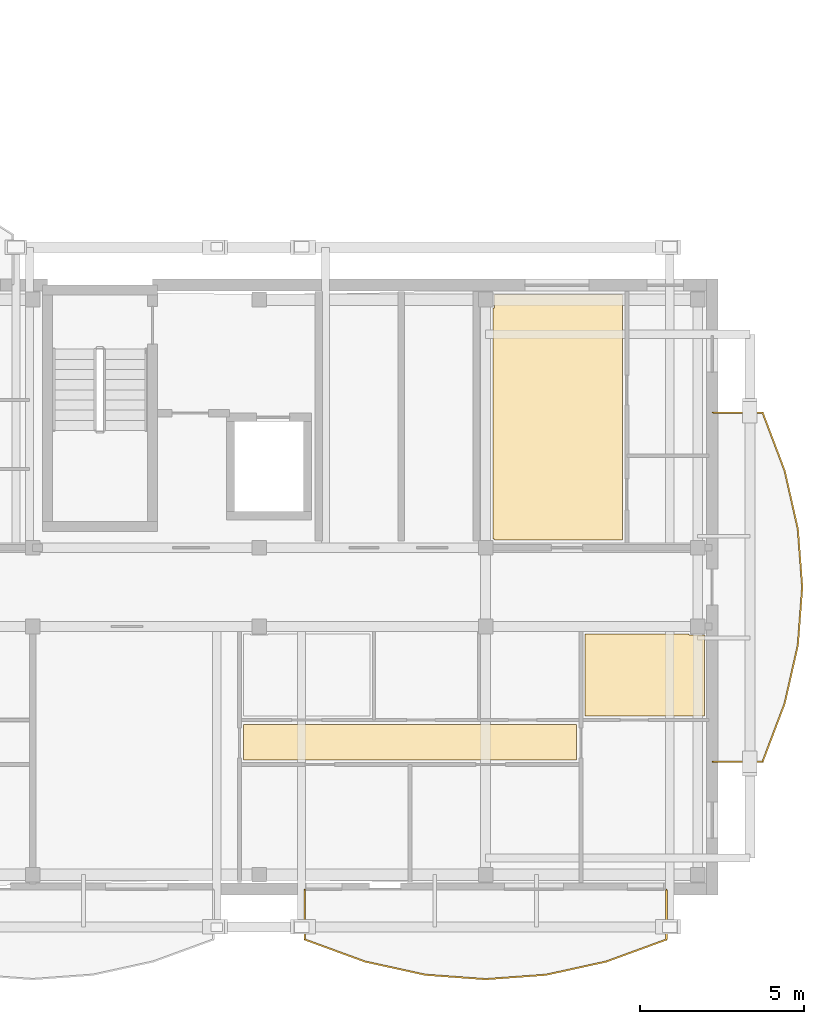
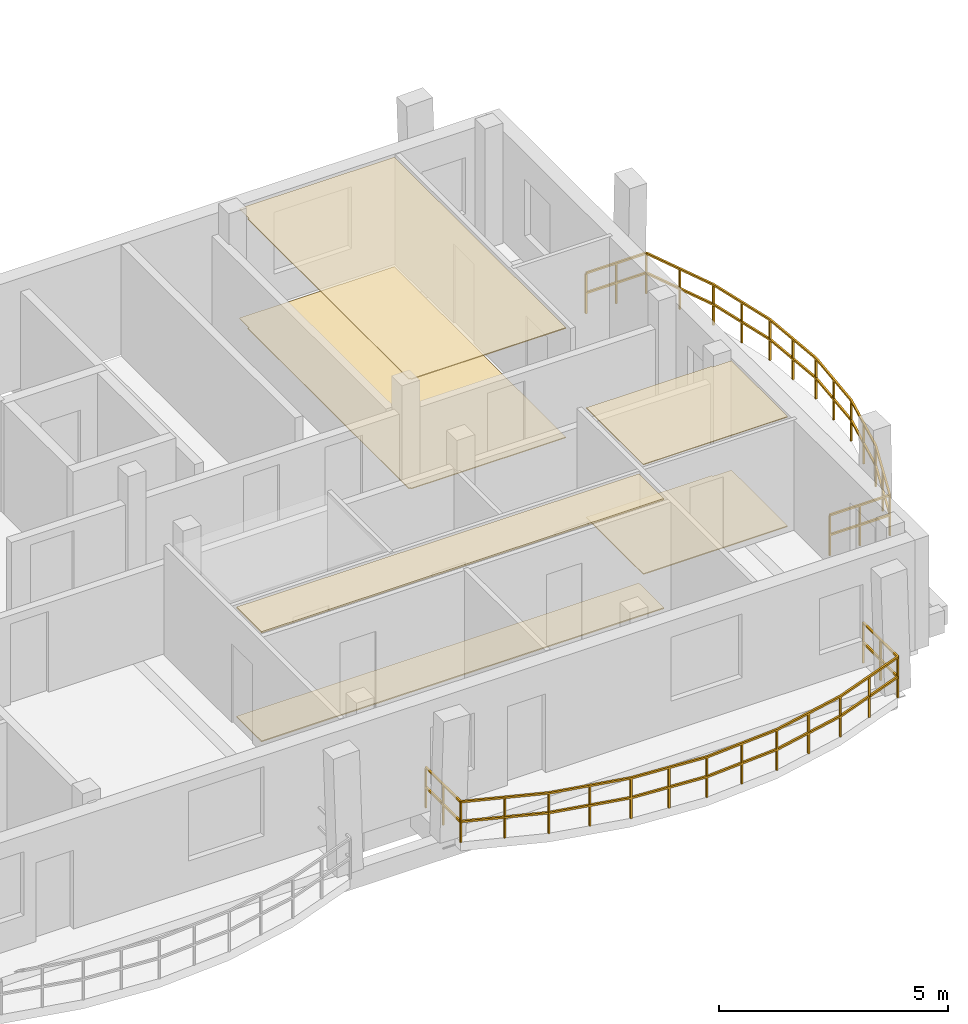
# One storey, part 48 of 52: 6 coverings, 2 railings.
"""IFC4 building model written with IfcOpenShell, lengths in metres."""

from ifc_helpers import new_model, si_unit, direction, frame, origin, origin_2d, place, context, subcontext, project, spatial, polyline, rectangle, outline, extrude, material, layer, layer_set, type_object, element, save


model = new_model("IFC4")

# Units and contexts
model_context = context("Model", 3, precision=1e-05, world=origin(), true_north=direction((0.0, 1.0)))
body_context = subcontext(model_context, "Body", "Model", "MODEL_VIEW")
ifc_project = project(units=[si_unit("LENGTHUNIT", "METRE"), si_unit("AREAUNIT", "SQUARE_METRE"), si_unit("VOLUMEUNIT", "CUBIC_METRE"), si_unit("PLANEANGLEUNIT", "RADIAN"), si_unit("MASSUNIT", "GRAM", prefix="KILO")], contexts=[model_context])

# Site, building, storey
site_placement = place(None, origin())
site = spatial("IfcSite", under=ifc_project, at=site_placement, CompositionType="ELEMENT")
building_placement = place(site_placement, origin())
building = spatial("IfcBuilding", under=site, at=building_placement, Name="Zavelmont Quarter", CompositionType="ELEMENT")
storey_placement = place(building_placement, frame((0.0, 0.0, 14.39990234375)))
storey = spatial("IfcBuildingStorey", under=building, at=storey_placement, Name="L04", CompositionType="ELEMENT", Elevation=14.39990234375)

# Coverings
ifc_material_1 = material(Name="Perforated acoustic gypsum board")
ifc_layer_1 = layer(ifc_material_1, 0.02490234375)
ifc_layer_set_1 = layer_set([ifc_layer_1], Name="Perforated acoustic gypsum board")
covering_type_1 = type_object("IfcCoveringType", Name="CV-CL01", PredefinedType="CEILING", material=ifc_layer_set_1)
covering_1_placement = place(storey_placement, frame((0.0, 0.0, 2.9150390625)))
element("IfcCovering", 1, at=covering_1_placement, inside=storey, type_object=covering_type_1, Name="L04 Residents Study Lounge acoustic ceiling", PredefinedType="CEILING", context=body_context, shape_type="SweptSolid", body=[
    extrude(outline(polyline([(161.330078125, 17.695068359375), (161.364990234375, 17.695068359375), (161.364990234375, 18.1201171875), (165.27001953125, 18.1201171875), (165.27001953125, 10.6298828125), (161.364990234375, 10.6298828125), (161.364990234375, 10.6650390625), (161.330078125, 10.6650390625), (161.330078125, 17.695068359375)])), origin(), (0.0, 0.0, 1.0), 0.025146484375),
])
ifc_material_2 = material(Name="Slatted European ash acoustic baffle ceiling")
ifc_layer_2 = layer(ifc_material_2, 0.0400390625)
ifc_layer_set_2 = layer_set([ifc_layer_2], Name="Slatted European ash acoustic baffle ceiling")
covering_type_2 = type_object("IfcCoveringType", Name="CV-CL02", PredefinedType="CEILING", material=ifc_layer_set_2)
covering_2_placement = place(storey_placement, frame((0.0, 0.0, 2.900146484375)))
element("IfcCovering", 2, at=covering_2_placement, inside=storey, type_object=covering_type_2, Name="L04 Apartment Hall acoustic ceiling", PredefinedType="CEILING", context=body_context, shape_type="SweptSolid", body=[
    extrude(outline(polyline([(153.72998046875, 5.02001953125), (163.8701171875, 5.02001953125), (163.8701171875, 3.929931640625), (153.72998046875, 3.929931640625), (153.72998046875, 5.02001953125)])), origin(), (0.0, 0.0, 1.0), 0.0400390625),
])
ifc_material_3 = material(Name="Moisture-resistant painted gypsum ceiling")
ifc_layer_3 = layer(ifc_material_3, 0.02001953125)
ifc_layer_set_3 = layer_set([ifc_layer_3], Name="Moisture-resistant painted gypsum ceiling")
covering_type_3 = type_object("IfcCoveringType", Name="CV-CL04", PredefinedType="CEILING", material=ifc_layer_set_3)
covering_3_placement = place(storey_placement, frame((0.0, 0.0, 2.920166015625)))
element("IfcCovering", 3, at=covering_3_placement, inside=storey, type_object=covering_type_3, Name="L04 Bathroom acoustic ceiling", PredefinedType="CEILING", context=body_context, shape_type="SweptSolid", body=[
    extrude(outline(polyline([(164.1298828125, 7.77001953125), (167.294921875, 7.77001953125), (167.294921875, 7.735107421875), (167.77001953125, 7.735107421875), (167.77001953125, 5.280029296875), (164.1298828125, 5.280029296875), (164.1298828125, 7.77001953125)])), origin(), (0.0, 0.0, 1.0), 0.02001953125),
])
ifc_material_4 = material(Name="Engineered European oak parquet")
ifc_layer_4 = layer(ifc_material_4, 0.02197265625)
ifc_layer_set_4 = layer_set([ifc_layer_4], Name="Engineered European oak parquet")
covering_type_4 = type_object("IfcCoveringType", Name="CV-FL01", PredefinedType="FLOORING", material=ifc_layer_set_4)
covering_4_placement = place(storey_placement, origin())
element("IfcCovering", 4, at=covering_4_placement, inside=storey, type_object=covering_type_4, Name="L04 Residents Study Lounge floor finish", PredefinedType="FLOORING", context=body_context, shape_type="SweptSolid", body=[
    extrude(outline(polyline([(161.330078125, 17.695068359375), (161.364990234375, 17.695068359375), (161.364990234375, 18.1201171875), (165.27001953125, 18.1201171875), (165.27001953125, 10.6298828125), (161.364990234375, 10.6298828125), (161.364990234375, 10.6650390625), (161.330078125, 10.6650390625), (161.330078125, 17.695068359375)])), origin(), (0.0, 0.0, 1.0), 0.022216796875),
])
ifc_material_5 = material(Name="Honed Belgian bluestone tile", Category="masonry")
ifc_layer_5 = layer(ifc_material_5, 0.030029296875)
ifc_layer_set_5 = layer_set([ifc_layer_5], Name="Honed Belgian bluestone tile")
covering_type_5 = type_object("IfcCoveringType", Name="CV-FL02", PredefinedType="FLOORING", material=ifc_layer_set_5)
covering_5_placement = place(storey_placement, origin())
element("IfcCovering", 5, at=covering_5_placement, inside=storey, type_object=covering_type_5, Name="L04 Apartment Hall floor finish", PredefinedType="FLOORING", context=body_context, shape_type="SweptSolid", body=[
    extrude(outline(polyline([(153.72998046875, 5.02001953125), (163.8701171875, 5.02001953125), (163.8701171875, 3.929931640625), (153.72998046875, 3.929931640625), (153.72998046875, 5.02001953125)])), origin(), (0.0, 0.0, 1.0), 0.030029296875),
])
ifc_material_6 = material(Name="Slip-resistant porcelain tile")
ifc_layer_6 = layer(ifc_material_6, 0.02587890625)
ifc_layer_set_6 = layer_set([ifc_layer_6], Name="Slip-resistant porcelain tile")
covering_type_6 = type_object("IfcCoveringType", Name="CV-FL04", PredefinedType="FLOORING", material=ifc_layer_set_6)
covering_6_placement = place(storey_placement, origin())
element("IfcCovering", 6, at=covering_6_placement, inside=storey, type_object=covering_type_6, Name="L04 Bathroom floor finish", PredefinedType="FLOORING", context=body_context, shape_type="SweptSolid", body=[
    extrude(outline(polyline([(164.1298828125, 7.77001953125), (167.294921875, 7.77001953125), (167.294921875, 7.735107421875), (167.77001953125, 7.735107421875), (167.77001953125, 5.280029296875), (164.1298828125, 5.280029296875), (164.1298828125, 7.77001953125)])), origin(), (0.0, 0.0, 1.0), 0.026123046875),
])

# Railings
ifc_material_7 = material(Name="Powder-coated steel and tempered double safety glass", Category="steel")
railing_type = type_object("IfcRailingType", Name="RL-BAL1", PredefinedType="BALUSTRADE", material=ifc_material_7)
railing_1_placement = place(storey_placement, frame((155.591064453125, -0.02001953125, 0.0)))
element("IfcRailing", 7, at=railing_1_placement, inside=storey, type_object=railing_type, Name="L04 Block D curved balcony guard RL-BAL1", PredefinedType="BALUSTRADE", context=body_context, shape_type="SweptSolid", body=[
    extrude(rectangle(XDim=0.048095703125, YDim=0.048095703125, at=origin_2d()), frame((0.0, 0.0, 1.076171875), z_axis=(0.0, -1.0, 0.0), x_axis=(1.0, 0.0, 0.0)), (0.0, 0.0, 1.0), 1.51708984375),
    extrude(rectangle(XDim=0.048095703125, YDim=0.048095703125, at=origin_2d()), frame((0.0, 0.0, 0.550048828125), z_axis=(0.0, -1.0, 0.0), x_axis=(1.0, 0.0, 0.0)), (0.0, 0.0, 1.0), 1.51708984375),
    extrude(rectangle(XDim=0.048095703125, YDim=0.048095703125, at=origin_2d()), frame((0.0, -1.51708984375, 1.076171875), z_axis=(0.939226985317, -0.343296766738, 0.0), x_axis=(0.343296766738, 0.939226985317, 0.0)), (0.0, 0.0, 1.0), 1.955078125),
    extrude(rectangle(XDim=0.048095703125, YDim=0.048095703125, at=origin_2d()), frame((0.0, -1.51708984375, 0.550048828125), z_axis=(0.939226985317, -0.343296766738, 0.0), x_axis=(0.343296766738, 0.939226985317, 0.0)), (0.0, 0.0, 1.0), 1.955078125),
    extrude(rectangle(XDim=0.048095703125, YDim=0.048095703125, at=origin_2d()), frame((1.836181640625, -2.188232421875, 1.076171875), z_axis=(0.976803339905, -0.214138355159, 0.0), x_axis=(0.214138355159, 0.976803339905, 0.0)), (0.0, 0.0, 1.0), 1.880126953125),
    extrude(rectangle(XDim=0.048095703125, YDim=0.048095703125, at=origin_2d()), frame((1.836181640625, -2.188232421875, 0.550048828125), z_axis=(0.976803339905, -0.214138355159, 0.0), x_axis=(0.214138355159, 0.976803339905, 0.0)), (0.0, 0.0, 1.0), 1.880126953125),
    extrude(rectangle(XDim=0.048095703125, YDim=0.048095703125, at=origin_2d()), frame((3.672607421875, -2.5908203125, 1.076171875), z_axis=(0.997337488116, -0.072924171559, 0.0), x_axis=(0.072924171559, 0.997337488116, 0.0)), (0.0, 0.0, 1.0), 1.84130859375),
    extrude(rectangle(XDim=0.048095703125, YDim=0.048095703125, at=origin_2d()), frame((3.672607421875, -2.5908203125, 0.550048828125), z_axis=(0.997337488116, -0.072924171559, 0.0), x_axis=(0.072924171559, 0.997337488116, 0.0)), (0.0, 0.0, 1.0), 1.84130859375),
    extrude(rectangle(XDim=0.048095703125, YDim=0.048095703125, at=origin_2d()), frame((5.509033203125, -2.72509765625, 1.076171875), z_axis=(0.997336782875, 0.072933816059, 0.0), x_axis=(-0.072933816059, 0.997336782875, 0.0)), (0.0, 0.0, 1.0), 1.841064453125),
    extrude(rectangle(XDim=0.048095703125, YDim=0.048095703125, at=origin_2d()), frame((5.509033203125, -2.72509765625, 0.550048828125), z_axis=(0.997336782875, 0.072933816059, 0.0), x_axis=(-0.072933816059, 0.997336782875, 0.0)), (0.0, 0.0, 1.0), 1.841064453125),
    extrude(rectangle(XDim=0.048095703125, YDim=0.048095703125, at=origin_2d()), frame((7.34521484375, -2.5908203125, 1.076171875), z_axis=(0.976803339905, 0.214138355159, 0.0), x_axis=(-0.214138355159, 0.976803339905, 0.0)), (0.0, 0.0, 1.0), 1.880126953125),
    extrude(rectangle(XDim=0.048095703125, YDim=0.048095703125, at=origin_2d()), frame((7.34521484375, -2.5908203125, 0.550048828125), z_axis=(0.976803339905, 0.214138355159, 0.0), x_axis=(-0.214138355159, 0.976803339905, 0.0)), (0.0, 0.0, 1.0), 1.880126953125),
    extrude(rectangle(XDim=0.048095703125, YDim=0.048095703125, at=origin_2d()), frame((9.181640625, -2.188232421875, 1.076171875), z_axis=(0.939226985317, 0.343296766738, 0.0), x_axis=(-0.343296766738, 0.939226985317, 0.0)), (0.0, 0.0, 1.0), 1.955078125),
    extrude(rectangle(XDim=0.048095703125, YDim=0.048095703125, at=origin_2d()), frame((9.181640625, -2.188232421875, 0.550048828125), z_axis=(0.939226985317, 0.343296766738, 0.0), x_axis=(-0.343296766738, 0.939226985317, 0.0)), (0.0, 0.0, 1.0), 1.955078125),
    extrude(rectangle(XDim=0.048095703125, YDim=0.048095703125, at=origin_2d()), frame((11.017822265625, -1.51708984375, 1.076171875), z_axis=(0.0, 1.0, 0.0), x_axis=(-1.0, 0.0, 0.0)), (0.0, 0.0, 1.0), 1.51708984375),
    extrude(rectangle(XDim=0.048095703125, YDim=0.048095703125, at=origin_2d()), frame((11.017822265625, -1.51708984375, 0.550048828125), z_axis=(0.0, 1.0, 0.0), x_axis=(-1.0, 0.0, 0.0)), (0.0, 0.0, 1.0), 1.51708984375),
    extrude(rectangle(XDim=0.0419921875, YDim=0.0419921875, at=origin_2d()), origin(), (0.0, 0.0, 1.0), 1.052001953125),
    extrude(rectangle(XDim=0.0419921875, YDim=0.0419921875, at=origin_2d()), frame((0.0, -0.758544921875, 0.0)), (0.0, 0.0, 1.0), 1.052001953125),
    extrude(rectangle(XDim=0.0419921875, YDim=0.0419921875, at=origin_2d()), frame((0.0, -1.51708984375, 0.0)), (0.0, 0.0, 1.0), 1.052001953125),
    extrude(rectangle(XDim=0.0419921875, YDim=0.0419921875, at=origin_2d()), frame((0.91796875, -1.8525390625, 0.0)), (0.0, 0.0, 1.0), 1.052001953125),
    extrude(rectangle(XDim=0.0419921875, YDim=0.0419921875, at=origin_2d()), frame((1.836181640625, -2.188232421875, 0.0)), (0.0, 0.0, 1.0), 1.052001953125),
    extrude(rectangle(XDim=0.0419921875, YDim=0.0419921875, at=origin_2d()), frame((2.75439453125, -2.3896484375, 0.0)), (0.0, 0.0, 1.0), 1.052001953125),
    extrude(rectangle(XDim=0.0419921875, YDim=0.0419921875, at=origin_2d()), frame((3.672607421875, -2.5908203125, 0.0)), (0.0, 0.0, 1.0), 1.052001953125),
    extrude(rectangle(XDim=0.0419921875, YDim=0.0419921875, at=origin_2d()), frame((4.5908203125, -2.657958984375, 0.0)), (0.0, 0.0, 1.0), 1.052001953125),
    extrude(rectangle(XDim=0.0419921875, YDim=0.0419921875, at=origin_2d()), frame((5.509033203125, -2.72509765625, 0.0)), (0.0, 0.0, 1.0), 1.052001953125),
    extrude(rectangle(XDim=0.0419921875, YDim=0.0419921875, at=origin_2d()), frame((6.42724609375, -2.657958984375, 0.0)), (0.0, 0.0, 1.0), 1.052001953125),
    extrude(rectangle(XDim=0.0419921875, YDim=0.0419921875, at=origin_2d()), frame((7.34521484375, -2.5908203125, 0.0)), (0.0, 0.0, 1.0), 1.052001953125),
    extrude(rectangle(XDim=0.0419921875, YDim=0.0419921875, at=origin_2d()), frame((8.263427734375, -2.3896484375, 0.0)), (0.0, 0.0, 1.0), 1.052001953125),
    extrude(rectangle(XDim=0.0419921875, YDim=0.0419921875, at=origin_2d()), frame((9.181640625, -2.188232421875, 0.0)), (0.0, 0.0, 1.0), 1.052001953125),
    extrude(rectangle(XDim=0.0419921875, YDim=0.0419921875, at=origin_2d()), frame((10.099609375, -1.8525390625, 0.0)), (0.0, 0.0, 1.0), 1.052001953125),
    extrude(rectangle(XDim=0.0419921875, YDim=0.0419921875, at=origin_2d()), frame((11.017822265625, -1.51708984375, 0.0)), (0.0, 0.0, 1.0), 1.052001953125),
    extrude(rectangle(XDim=0.0419921875, YDim=0.0419921875, at=origin_2d()), frame((11.017822265625, -0.758544921875, 0.0)), (0.0, 0.0, 1.0), 1.052001953125),
    extrude(rectangle(XDim=0.0419921875, YDim=0.0419921875, at=origin_2d()), frame((11.017822265625, 0.0, 0.0)), (0.0, 0.0, 1.0), 1.052001953125),
])
railing_2_placement = place(storey_placement, frame((168.02001953125, 3.8828125, 0.0)))
element("IfcRailing", 8, at=railing_2_placement, inside=storey, type_object=railing_type, Name="L04 Block D curved balcony guard RL-BAL1", PredefinedType="BALUSTRADE", context=body_context, shape_type="SweptSolid", body=[
    extrude(rectangle(XDim=0.048095703125, YDim=0.048095703125, at=origin_2d()), frame((0.0, 0.0, 1.076171875), z_axis=(1.0, 0.0, 0.0), x_axis=(0.0, 1.0, 0.0)), (0.0, 0.0, 1.0), 1.51708984375),
    extrude(rectangle(XDim=0.048095703125, YDim=0.048095703125, at=origin_2d()), frame((0.0, 0.0, 0.550048828125), z_axis=(1.0, 0.0, 0.0), x_axis=(0.0, 1.0, 0.0)), (0.0, 0.0, 1.0), 1.51708984375),
    extrude(rectangle(XDim=0.048095703125, YDim=0.048095703125, at=origin_2d()), frame((1.51708984375, 0.0, 1.076171875), z_axis=(0.354157072192, 0.935185953817, 0.0), x_axis=(-0.935185953817, 0.354157072192, 0.0)), (0.0, 0.0, 1.0), 1.89501953125),
    extrude(rectangle(XDim=0.048095703125, YDim=0.048095703125, at=origin_2d()), frame((1.51708984375, 0.0, 0.550048828125), z_axis=(0.354157072192, 0.935185953817, 0.0), x_axis=(-0.935185953817, 0.354157072192, 0.0)), (0.0, 0.0, 1.0), 1.89501953125),
    extrude(rectangle(XDim=0.048095703125, YDim=0.048095703125, at=origin_2d()), frame((2.188232421875, 1.772216796875, 1.076171875), z_axis=(0.221493379111, 0.975161875285, 0.0), x_axis=(-0.975161875285, 0.221493379111, 0.0)), (0.0, 0.0, 1.0), 1.817626953125),
    extrude(rectangle(XDim=0.048095703125, YDim=0.048095703125, at=origin_2d()), frame((2.188232421875, 1.772216796875, 0.550048828125), z_axis=(0.221493379111, 0.975161875285, 0.0), x_axis=(-0.975161875285, 0.221493379111, 0.0)), (0.0, 0.0, 1.0), 1.817626953125),
    extrude(rectangle(XDim=0.048095703125, YDim=0.048095703125, at=origin_2d()), frame((2.5908203125, 3.544677734375, 1.076171875), z_axis=(0.075541112729, 0.997142688028, 0.0), x_axis=(-0.997142688028, 0.075541112729, 0.0)), (0.0, 0.0, 1.0), 1.777587890625),
    extrude(rectangle(XDim=0.048095703125, YDim=0.048095703125, at=origin_2d()), frame((2.5908203125, 3.544677734375, 0.550048828125), z_axis=(0.075541112729, 0.997142688028, 0.0), x_axis=(-0.997142688028, 0.075541112729, 0.0)), (0.0, 0.0, 1.0), 1.777587890625),
    extrude(rectangle(XDim=0.048095703125, YDim=0.048095703125, at=origin_2d()), frame((2.72509765625, 5.317138671875, 1.076171875), z_axis=(-0.075541112729, 0.997142688028, 0.0), x_axis=(-0.997142688028, -0.075541112729, 0.0)), (0.0, 0.0, 1.0), 1.777587890625),
    extrude(rectangle(XDim=0.048095703125, YDim=0.048095703125, at=origin_2d()), frame((2.72509765625, 5.317138671875, 0.550048828125), z_axis=(-0.075541112729, 0.997142688028, 0.0), x_axis=(-0.997142688028, -0.075541112729, 0.0)), (0.0, 0.0, 1.0), 1.777587890625),
    extrude(rectangle(XDim=0.048095703125, YDim=0.048095703125, at=origin_2d()), frame((2.5908203125, 7.089599609375, 1.076171875), z_axis=(-0.221493379111, 0.975161875285, 0.0), x_axis=(-0.975161875285, -0.221493379111, 0.0)), (0.0, 0.0, 1.0), 1.817626953125),
    extrude(rectangle(XDim=0.048095703125, YDim=0.048095703125, at=origin_2d()), frame((2.5908203125, 7.089599609375, 0.550048828125), z_axis=(-0.221493379111, 0.975161875285, 0.0), x_axis=(-0.975161875285, -0.221493379111, 0.0)), (0.0, 0.0, 1.0), 1.817626953125),
    extrude(rectangle(XDim=0.048095703125, YDim=0.048095703125, at=origin_2d()), frame((2.188232421875, 8.862060546875, 1.076171875), z_axis=(-0.354114407708, 0.935202109843, 0.0), x_axis=(-0.935202109843, -0.354114407708, 0.0)), (0.0, 0.0, 1.0), 1.895263671875),
    extrude(rectangle(XDim=0.048095703125, YDim=0.048095703125, at=origin_2d()), frame((2.188232421875, 8.862060546875, 0.550048828125), z_axis=(-0.354114407708, 0.935202109843, 0.0), x_axis=(-0.935202109843, -0.354114407708, 0.0)), (0.0, 0.0, 1.0), 1.895263671875),
    extrude(rectangle(XDim=0.048095703125, YDim=0.048095703125, at=origin_2d()), frame((1.51708984375, 10.634521484375, 1.076171875), z_axis=(-1.0, 0.0, 0.0), x_axis=(0.0, -1.0, 0.0)), (0.0, 0.0, 1.0), 1.51708984375),
    extrude(rectangle(XDim=0.048095703125, YDim=0.048095703125, at=origin_2d()), frame((1.51708984375, 10.634521484375, 0.550048828125), z_axis=(-1.0, 0.0, 0.0), x_axis=(0.0, -1.0, 0.0)), (0.0, 0.0, 1.0), 1.51708984375),
    extrude(rectangle(XDim=0.0419921875, YDim=0.0419921875, at=origin_2d()), origin(), (0.0, 0.0, 1.0), 1.052001953125),
    extrude(rectangle(XDim=0.0419921875, YDim=0.0419921875, at=origin_2d()), frame((0.758544921875, 0.0, 0.0)), (0.0, 0.0, 1.0), 1.052001953125),
    extrude(rectangle(XDim=0.0419921875, YDim=0.0419921875, at=origin_2d()), frame((1.51708984375, 0.0, 0.0)), (0.0, 0.0, 1.0), 1.052001953125),
    extrude(rectangle(XDim=0.0419921875, YDim=0.0419921875, at=origin_2d()), frame((1.8525390625, 0.88623046875, 0.0)), (0.0, 0.0, 1.0), 1.052001953125),
    extrude(rectangle(XDim=0.0419921875, YDim=0.0419921875, at=origin_2d()), frame((2.188232421875, 1.772216796875, 0.0)), (0.0, 0.0, 1.0), 1.052001953125),
    extrude(rectangle(XDim=0.0419921875, YDim=0.0419921875, at=origin_2d()), frame((2.3896484375, 2.658447265625, 0.0)), (0.0, 0.0, 1.0), 1.052001953125),
    extrude(rectangle(XDim=0.0419921875, YDim=0.0419921875, at=origin_2d()), frame((2.5908203125, 3.544677734375, 0.0)), (0.0, 0.0, 1.0), 1.052001953125),
    extrude(rectangle(XDim=0.0419921875, YDim=0.0419921875, at=origin_2d()), frame((2.657958984375, 4.430908203125, 0.0)), (0.0, 0.0, 1.0), 1.052001953125),
    extrude(rectangle(XDim=0.0419921875, YDim=0.0419921875, at=origin_2d()), frame((2.72509765625, 5.317138671875, 0.0)), (0.0, 0.0, 1.0), 1.052001953125),
    extrude(rectangle(XDim=0.0419921875, YDim=0.0419921875, at=origin_2d()), frame((2.657958984375, 6.203369140625, 0.0)), (0.0, 0.0, 1.0), 1.052001953125),
    extrude(rectangle(XDim=0.0419921875, YDim=0.0419921875, at=origin_2d()), frame((2.5908203125, 7.089599609375, 0.0)), (0.0, 0.0, 1.0), 1.052001953125),
    extrude(rectangle(XDim=0.0419921875, YDim=0.0419921875, at=origin_2d()), frame((2.3896484375, 7.975830078125, 0.0)), (0.0, 0.0, 1.0), 1.052001953125),
    extrude(rectangle(XDim=0.0419921875, YDim=0.0419921875, at=origin_2d()), frame((2.188232421875, 8.862060546875, 0.0)), (0.0, 0.0, 1.0), 1.052001953125),
    extrude(rectangle(XDim=0.0419921875, YDim=0.0419921875, at=origin_2d()), frame((1.8525390625, 9.748291015625, 0.0)), (0.0, 0.0, 1.0), 1.052001953125),
    extrude(rectangle(XDim=0.0419921875, YDim=0.0419921875, at=origin_2d()), frame((1.51708984375, 10.634521484375, 0.0)), (0.0, 0.0, 1.0), 1.052001953125),
    extrude(rectangle(XDim=0.0419921875, YDim=0.0419921875, at=origin_2d()), frame((0.758544921875, 10.634521484375, 0.0)), (0.0, 0.0, 1.0), 1.052001953125),
    extrude(rectangle(XDim=0.0419921875, YDim=0.0419921875, at=origin_2d()), frame((0.0, 10.634521484375, 0.0)), (0.0, 0.0, 1.0), 1.052001953125),
])

save(model, "model.ifc")
